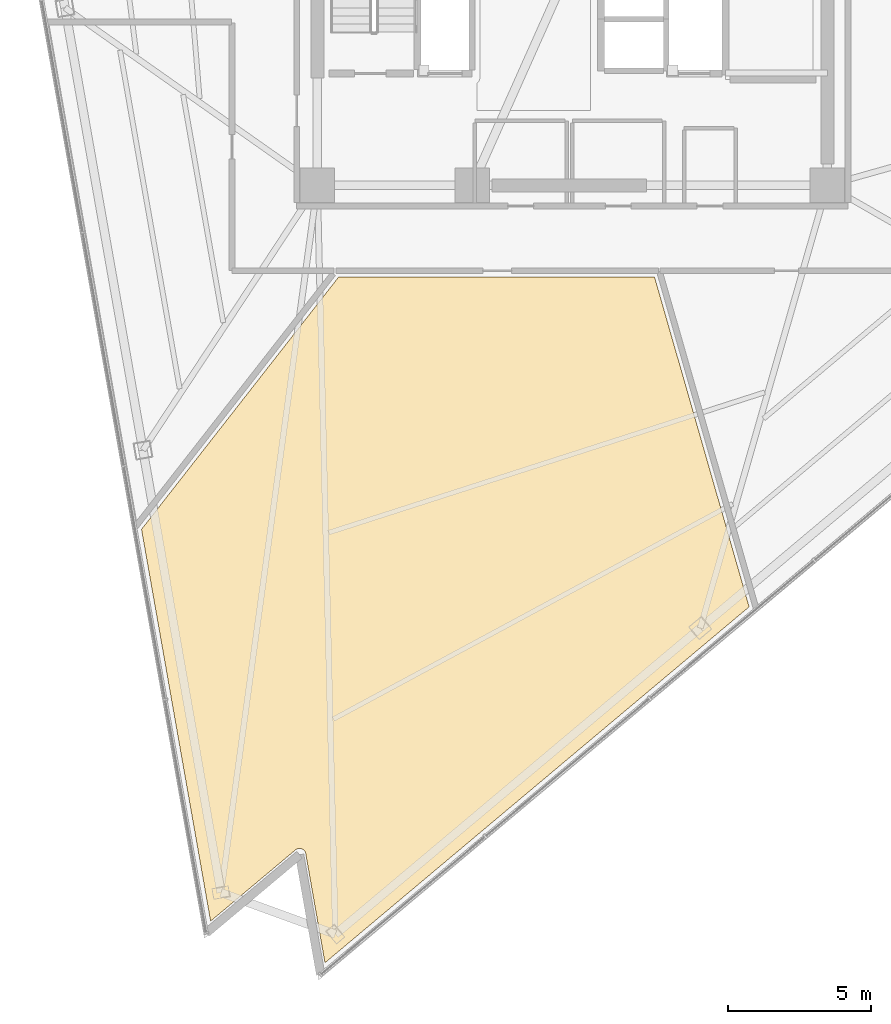
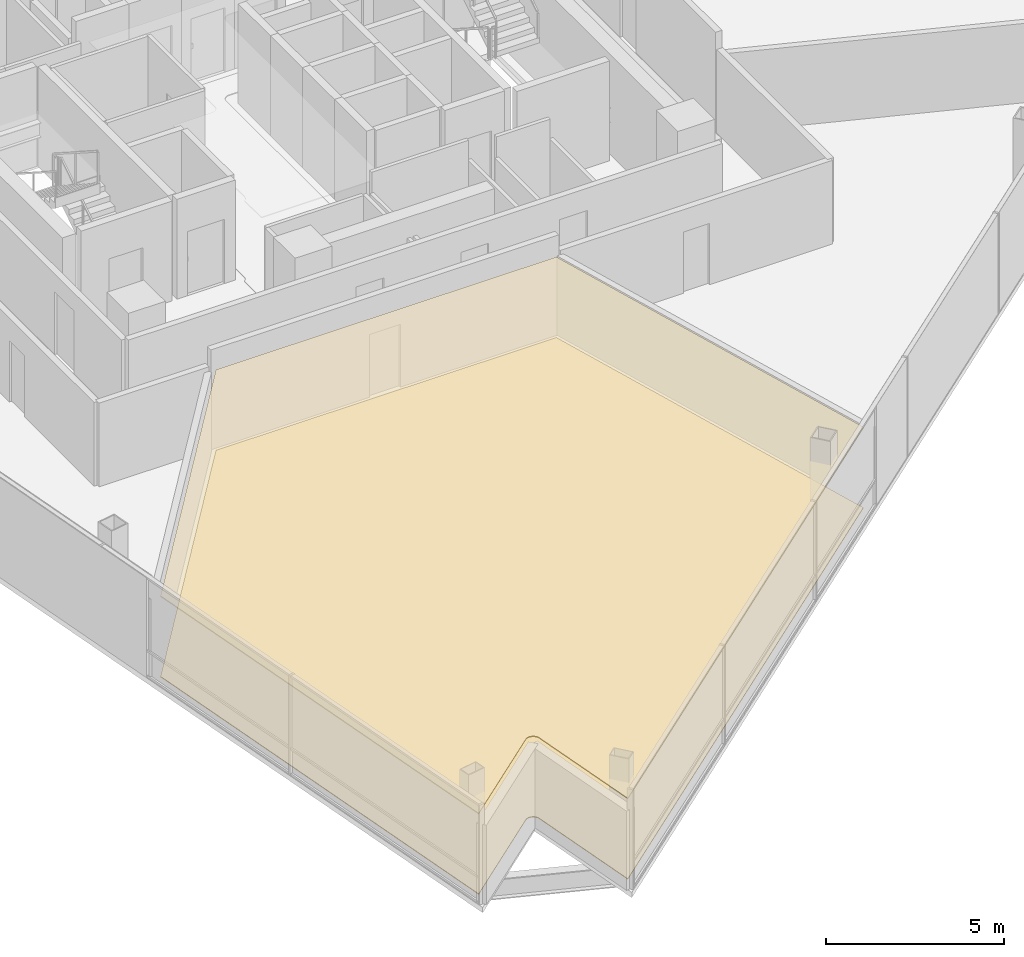
# One storey, part 13 of 16: 2 coverings.
"""IFC4 building model written with IfcOpenShell, lengths in metres."""

from ifc_helpers import new_model, si_unit, direction, frame, origin, place, context, subcontext, project, spatial, polyline, outline, extrude, material, layer, layer_set, type_object, element, save


model = new_model("IFC4")

# Units and contexts
model_context = context("Model", 3, precision=1e-05, world=origin(), true_north=direction((0.0, 1.0)))
body_context = subcontext(model_context, "Body", "Model", "MODEL_VIEW")
ifc_project = project(units=[si_unit("LENGTHUNIT", "METRE"), si_unit("AREAUNIT", "SQUARE_METRE"), si_unit("VOLUMEUNIT", "CUBIC_METRE"), si_unit("PLANEANGLEUNIT", "RADIAN"), si_unit("MASSUNIT", "GRAM", prefix="KILO")], contexts=[model_context])

# Site, building, storey
site_placement = place(None, origin())
site = spatial("IfcSite", under=ifc_project, at=site_placement, CompositionType="ELEMENT")
building_placement = place(site_placement, origin())
building = spatial("IfcBuilding", under=site, at=building_placement, Name="Tharavind Bronze Gate", CompositionType="ELEMENT")
storey_placement = place(building_placement, frame((0.0, 0.0, 188.5)))
storey = spatial("IfcBuildingStorey", under=building, at=storey_placement, Name="L48", CompositionType="ELEMENT", Elevation=188.5)

# Coverings
ifc_material_1 = material(Name="Engineered Oak & Carpet Tile", Category="wood")
ifc_layer_1 = layer(ifc_material_1, 0.02490234375)
ifc_layer_set_1 = layer_set([ifc_layer_1], Name="Engineered Oak & Carpet Tile")
covering_type_1 = type_object("IfcCoveringType", Name="ENGINEERED TIMBER FLOORING", PredefinedType="FLOORING", material=ifc_layer_set_1)
covering_1_placement = place(storey_placement, origin())
element("IfcCovering", 1, at=covering_1_placement, inside=storey, type_object=covering_type_1, Name="L48-RM-05 floor finish", PredefinedType="FLOORING", context=body_context, shape_type="SweptSolid", body=[
    extrude(outline(polyline([(-12.626220703125, -33.2802734375), (-9.66455078125, -30.795166015625), (-9.656005859375, -30.7880859375), (-9.655517578125, -30.787841796875), (-9.63720703125, -30.775390625), (-9.6181640625, -30.764892578125), (-9.597900390625, -30.756591796875), (-9.576904296875, -30.75), (-9.555419921875, -30.74560546875), (-9.53369140625, -30.743408203125), (-9.51171875, -30.743408203125), (-9.48974609375, -30.74560546875), (-9.46826171875, -30.75), (-9.447509765625, -30.756591796875), (-9.42724609375, -30.764892578125), (-9.407958984375, -30.775390625), (-9.389892578125, -30.787841796875), (-9.373046875, -30.802001953125), (-9.357666015625, -30.817626953125), (-9.343994140625, -30.834716796875), (-9.33203125, -30.853271484375), (-9.322021484375, -30.872802734375), (-9.314208984375, -30.893310546875), (-9.30810546875, -30.914306640625), (-9.30810546875, -30.914794921875), (-9.305908203125, -30.925537109375), (-8.634521484375, -34.733154296875), (6.1689453125, -22.3115234375), (2.867919921875, -10.800048828125), (-8.15869140625, -10.800048828125), (-15.03759765625, -19.604736328125), (-12.626220703125, -33.2802734375)])), origin(), (0.0, 0.0, 1.0), 0.02490234375),
])
ifc_material_2 = material(Name="Acoustic Gypsum Board", Category="gypsum")
ifc_layer_2 = layer(ifc_material_2, 0.030029296875)
ifc_layer_set_2 = layer_set([ifc_layer_2], Name="Acoustic Gypsum Board")
covering_type_2 = type_object("IfcCoveringType", Name="GYPSUM SUSPENDED CEILING", PredefinedType="CEILING", material=ifc_layer_set_2)
covering_2_placement = place(storey_placement, frame((0.0, 0.0, 2.75)))
element("IfcCovering", 2, at=covering_2_placement, inside=storey, type_object=covering_type_2, Name="L48-RM-05 suspended ceiling", PredefinedType="CEILING", context=body_context, shape_type="SweptSolid", body=[
    extrude(outline(polyline([(-12.626220703125, -33.2802734375), (-9.66455078125, -30.795166015625), (-9.656005859375, -30.7880859375), (-9.655517578125, -30.787841796875), (-9.63720703125, -30.775390625), (-9.6181640625, -30.764892578125), (-9.597900390625, -30.756591796875), (-9.576904296875, -30.75), (-9.555419921875, -30.74560546875), (-9.53369140625, -30.743408203125), (-9.51171875, -30.743408203125), (-9.48974609375, -30.74560546875), (-9.46826171875, -30.75), (-9.447509765625, -30.756591796875), (-9.42724609375, -30.764892578125), (-9.407958984375, -30.775390625), (-9.389892578125, -30.787841796875), (-9.373046875, -30.802001953125), (-9.357666015625, -30.817626953125), (-9.343994140625, -30.834716796875), (-9.33203125, -30.853271484375), (-9.322021484375, -30.872802734375), (-9.314208984375, -30.893310546875), (-9.30810546875, -30.914306640625), (-9.30810546875, -30.914794921875), (-9.305908203125, -30.925537109375), (-8.634521484375, -34.733154296875), (6.1689453125, -22.3115234375), (2.867919921875, -10.800048828125), (-8.15869140625, -10.800048828125), (-15.03759765625, -19.604736328125), (-12.626220703125, -33.2802734375)])), origin(), (0.0, 0.0, 1.0), 0.034912109375),
])

save(model, "model.ifc")
